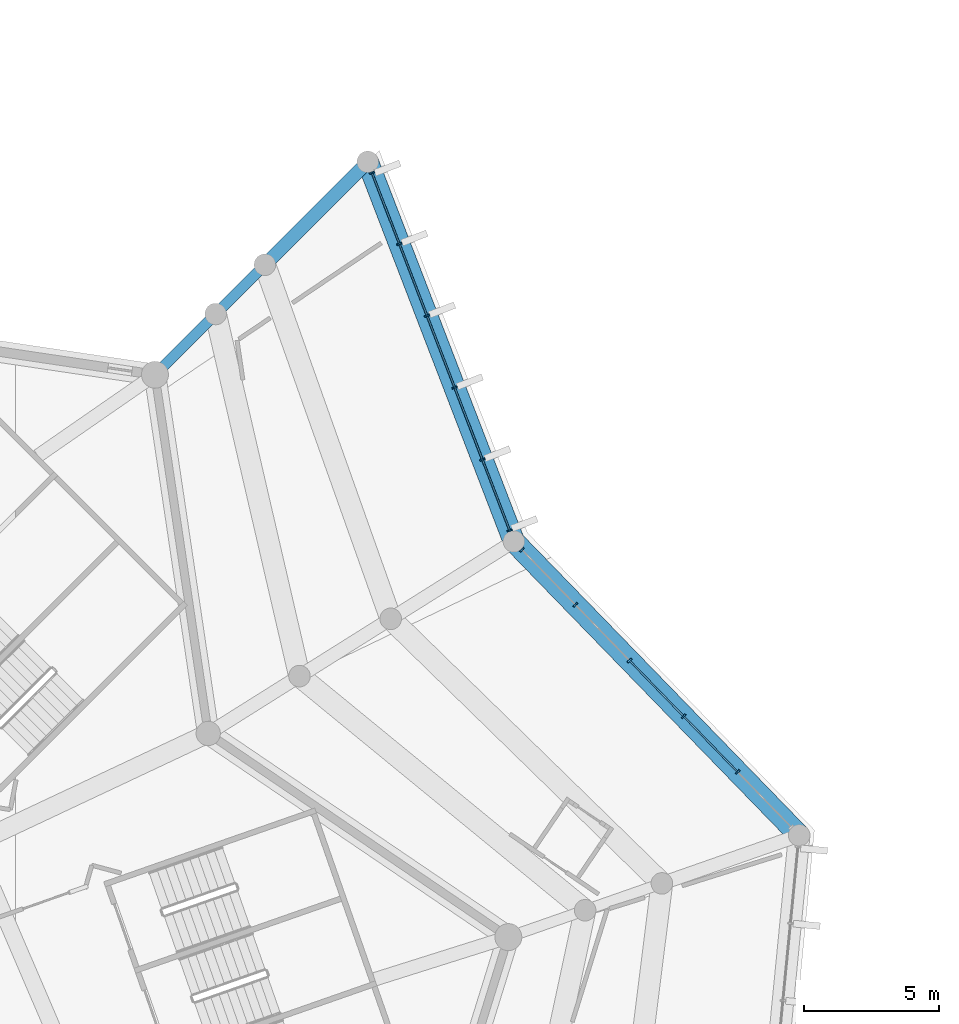
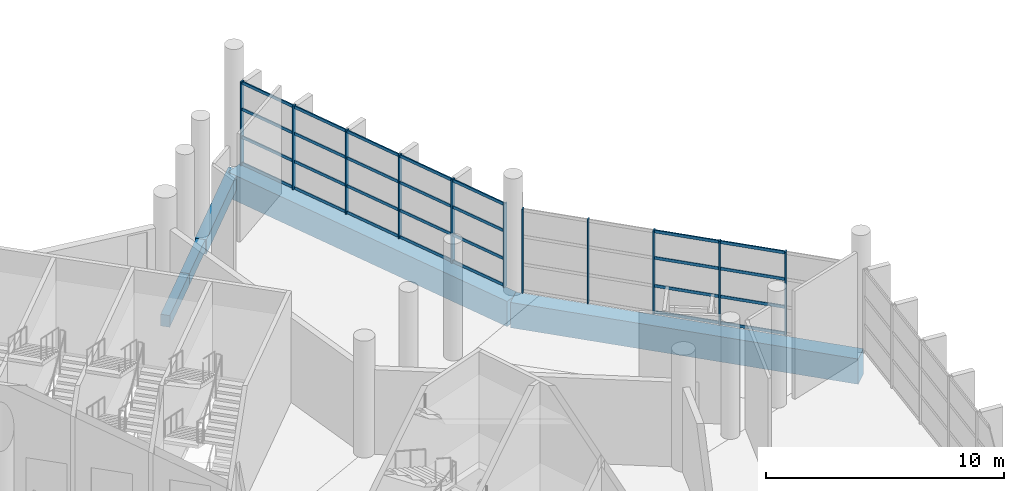
# One storey, part 95 of 249: 39 members, 5 beams, 2 elements without a shape of their own.
"""IFC4 building model written with IfcOpenShell, lengths in metres."""

import ifcopenshell
import ifcopenshell.guid

model = None  # the IFC model being written
_history = None  # IfcOwnerHistory: only IFC2X3 demands one
_inside = {}  # id of a spatial element -> (the spatial element, [elements in it])
_under = {}  # id of a project, library or spatial element -> (it, [spatial elements below it])
_declared = {}  # id of a project -> (the project, [libraries it declares])
_typed = {}  # id of a type object -> (the type object, [elements of that type])
_made_of = {}  # id of a material, layer set ... -> (it, [elements and type objects made of it])


def new_model(schema):
    """Start an empty IFC model of exactly this schema.

    Asked for "IFC4X3", IfcOpenShell would pick the latest addendum, in which some entities
    have other attributes; the version numbers below select the first issue.
    IFC2X3 requires an IfcOwnerHistory on every rooted entity: one is made here for all.
    """
    global model, _history
    if schema == "IFC4X3":
        model = ifcopenshell.file(schema_version=(4, 3, 0, 0))
    else:
        model = ifcopenshell.file(schema=schema)
    _inside.clear()
    _under.clear()
    _declared.clear()
    _typed.clear()
    _made_of.clear()
    _history = None
    if model.schema == "IFC2X3":
        org = make("IfcOrganization", Name="unknown")
        user = make(
            "IfcPersonAndOrganization",
            ThePerson=make("IfcPerson", FamilyName="unknown"),
            TheOrganization=org,
        )
        app = make(
            "IfcApplication",
            ApplicationDeveloper=org,
            Version="unknown",
            ApplicationFullName="unknown",
            ApplicationIdentifier="unknown",
        )
        _history = make(
            "IfcOwnerHistory",
            OwningUser=user,
            OwningApplication=app,
            ChangeAction="ADDED",
            CreationDate=0,
        )
    return model


def make(cls, **values):
    """One entity of the class cls with the attributes given. An attribute that is None is left unset."""
    return model.create_entity(
        cls, **{name: value for name, value in values.items() if value is not None}
    )


def rooted(cls, **values):
    """An entity with a GlobalId (a new one), such as an element, a storey or a relation."""
    return make(cls, GlobalId=ifcopenshell.guid.new(), OwnerHistory=_history, **values)


def si_unit(unit_type, name, prefix=None):
    """IfcSIUnit, for example si_unit("LENGTHUNIT", "METRE", prefix="MILLI")."""
    return make("IfcSIUnit", UnitType=unit_type, Prefix=prefix, Name=name)


def assignment(units):
    """IfcUnitAssignment: the units of a project."""
    return None if units is None else make("IfcUnitAssignment", Units=units)


def point(xyz):
    """IfcCartesianPoint."""
    return None if xyz is None else make("IfcCartesianPoint", Coordinates=xyz)


def direction(xyz):
    """IfcDirection."""
    return None if xyz is None else make("IfcDirection", DirectionRatios=xyz)


def frame(location, z_axis=None, x_axis=None):
    """IfcAxis2Placement3D, a coordinate frame: its origin and axes. An axis left out is left unset."""
    return make(
        "IfcAxis2Placement3D",
        Location=point(location),
        Axis=direction(z_axis),
        RefDirection=direction(x_axis),
    )


def frame_2d(location, x_axis=None):
    """IfcAxis2Placement2D, a coordinate frame in the plane: its origin and x axis."""
    return make(
        "IfcAxis2Placement2D", Location=point(location), RefDirection=direction(x_axis)
    )


def origin():
    """The frame at (0, 0, 0) with its axes left unset."""
    return frame((0.0, 0.0, 0.0))


def origin_2d():
    """The frame at (0, 0) in the plane with its x axis left unset."""
    return frame_2d((0.0, 0.0))


def place(relative_to, where):
    """IfcLocalPlacement: puts the frame where relative to a parent placement (None: the world)."""
    return make(
        "IfcLocalPlacement", PlacementRelTo=relative_to, RelativePlacement=where
    )


def context(
    kind, dimensions, precision=None, world=None, true_north=None, identifier=None
):
    """IfcGeometricRepresentationContext, for example the 3D "Model" context."""
    return make(
        "IfcGeometricRepresentationContext",
        ContextIdentifier=identifier,
        ContextType=kind,
        CoordinateSpaceDimension=dimensions,
        Precision=precision,
        WorldCoordinateSystem=world,
        TrueNorth=true_north,
    )


def subcontext(parent, identifier, kind, view, scale=None):
    """IfcGeometricRepresentationSubContext, for example "Body" below "Model"."""
    return make(
        "IfcGeometricRepresentationSubContext",
        ContextIdentifier=identifier,
        ContextType=kind,
        ParentContext=parent,
        TargetScale=scale,
        TargetView=view,
    )


def project(units=None, contexts=None):
    """IfcProject with its units and contexts."""
    return rooted(
        "IfcProject",
        Name="project",
        RepresentationContexts=contexts,
        UnitsInContext=assignment(units),
    )


def spatial(cls, under=None, at=None, **own):
    """A site, building, storey or space (cls), placed at a placement, below another one or the project."""
    s = rooted(cls, ObjectPlacement=at, **own)
    if under is not None:
        _under.setdefault(under.id(), (under, []))[1].append(s)
    return s


def profile(cls, at=None, kind="AREA", **sizes):
    """A parametric profile (cls). Its sizes go by their IFC names, for example OverallWidth=200.0."""
    return make(cls, ProfileType=kind, Position=at, **sizes)


def rectangle(**sizes):
    """IfcRectangleProfileDef."""
    return profile("IfcRectangleProfileDef", **sizes)


def extrude(swept, where, along, depth):
    """IfcExtrudedAreaSolid: the profile swept, set in the frame where, extruded along a direction by depth."""
    return make(
        "IfcExtrudedAreaSolid",
        SweptArea=swept,
        Position=where,
        ExtrudedDirection=direction(along),
        Depth=depth,
    )


def shape(context_of_items, identifier, shape_type, items):
    """IfcShapeRepresentation: the items that make up one representation, for example the "Body"."""
    return make(
        "IfcShapeRepresentation",
        ContextOfItems=context_of_items,
        RepresentationIdentifier=identifier,
        RepresentationType=shape_type,
        Items=items,
    )


def material(Name=None, Category=None):
    """IfcMaterial."""
    return make("IfcMaterial", Name=Name, Category=Category)


def layer(
    of_material, thickness, ventilated=None, Name=None, Category=None, Priority=None
):
    """IfcMaterialLayer: one layer of a wall or slab, of a material (None: an air gap)."""
    return make(
        "IfcMaterialLayer",
        Material=of_material,
        LayerThickness=thickness,
        IsVentilated=ventilated,
        Name=Name,
        Category=Category,
        Priority=Priority,
    )


def layer_set(layers, Name=None):
    """IfcMaterialLayerSet."""
    return make("IfcMaterialLayerSet", MaterialLayers=layers, LayerSetName=Name)


def material_profile(
    of_material, cross_section, Name=None, Category=None, Priority=None
):
    """IfcMaterialProfile: a cross section and its material."""
    return make(
        "IfcMaterialProfile",
        Name=Name,
        Material=of_material,
        Profile=cross_section,
        Priority=Priority,
        Category=Category,
    )


def profile_set(profiles, Name=None, composite=None):
    """IfcMaterialProfileSet."""
    return make(
        "IfcMaterialProfileSet",
        Name=Name,
        MaterialProfiles=profiles,
        CompositeProfile=composite,
    )


def made_of(thing, what):
    """Note that an element or type object is made of a material, layer set ...; save() writes the relation."""
    if what is not None:
        _made_of.setdefault(what.id(), (what, []))[1].append(thing)
    return thing


def type_object(cls, material=None, **own):
    """A type object (cls), such as IfcWallType, which elements share."""
    return made_of(rooted(cls, **own), material)


def element(
    cls,
    number,
    at=None,
    inside=None,
    cuts=None,
    type_object=None,
    material=None,
    context=None,
    identifier="Body",
    shape_type=None,
    held_by="IfcProductDefinitionShape",
    body=None,
    shapes=None,
    **own,
):
    """One element of the class cls, such as IfcWall. Its Tag is "e" and its number.

    at: its placement. inside: the storey or other place that contains it. cuts: it is an
    opening in that element (IfcRelVoidsElement). A single representation is given by context,
    identifier, shape_type and body (its items); several are given by shapes. held_by: the class
    of the entity that holds the representations. save() writes the other relations.
    """
    e = rooted(cls, Tag="e%d" % number, ObjectPlacement=at, **own)
    if body is not None:
        shapes = [shape(context, identifier, shape_type, body)]
    if shapes is not None:
        e.Representation = make(held_by, Representations=shapes)
    if inside is not None:
        _inside.setdefault(inside.id(), (inside, []))[1].append(e)
    if cuts is not None:
        rooted(
            "IfcRelVoidsElement", RelatingBuildingElement=cuts, RelatedOpeningElement=e
        )
    if type_object is not None:
        _typed.setdefault(type_object.id(), (type_object, []))[1].append(e)
    return made_of(e, material)


def aggregate(whole, parts):
    """IfcRelAggregates: a whole, such as a stair, and the parts it consists of."""
    return rooted("IfcRelAggregates", RelatingObject=whole, RelatedObjects=parts)


def save(model, path):
    """Write the relations noted so far, then the file.

    IfcRelAggregates (storeys below a building ...), IfcRelContainedInSpatialStructure (elements
    in a storey), IfcRelDefinesByType, IfcRelAssociatesMaterial and IfcRelDeclares: one each for
    every whole, place, type object, material and project.
    """
    for whole, parts in _under.values():
        aggregate(whole, parts)
    for where, things in _inside.values():
        rooted(
            "IfcRelContainedInSpatialStructure",
            RelatedElements=things,
            RelatingStructure=where,
        )
    for kind, things in _typed.values():
        rooted("IfcRelDefinesByType", RelatedObjects=things, RelatingType=kind)
    for what, things in _made_of.values():
        rooted("IfcRelAssociatesMaterial", RelatedObjects=things, RelatingMaterial=what)
    for by, libraries in _declared.values():
        rooted("IfcRelDeclares", RelatingContext=by, RelatedDefinitions=libraries)
    model.write(path)


model = new_model("IFC4")

# Units and contexts
model_context = context("Model", 3, precision=1e-05, world=origin(), true_north=direction((0.0, 1.0)))
body_context = subcontext(model_context, "Body", "Model", "MODEL_VIEW")
ifc_project = project(units=[si_unit("LENGTHUNIT", "METRE"), si_unit("AREAUNIT", "SQUARE_METRE"), si_unit("VOLUMEUNIT", "CUBIC_METRE"), si_unit("PLANEANGLEUNIT", "RADIAN"), si_unit("MASSUNIT", "GRAM", prefix="KILO")], contexts=[model_context])

# Site, building, storey
site_placement = place(None, origin())
site = spatial("IfcSite", under=ifc_project, at=site_placement, CompositionType="ELEMENT")
building_placement = place(site_placement, origin())
building = spatial("IfcBuilding", under=site, at=building_placement, Name="Meseta Stadium", CompositionType="ELEMENT")
storey_placement = place(building_placement, frame((0.0, 0.0, 12.0)))
storey = spatial("IfcBuildingStorey", under=building, at=storey_placement, Name="L02", CompositionType="ELEMENT", Elevation=12.0)

# Beams
ifc_material_1 = material(Name="Concrete C40/50", Category="concrete")
ifc_material_profile_1 = material_profile(ifc_material_1, rectangle(XDim=0.39990234375, YDim=0.60009765625, at=origin_2d()), Name="RC 400x600")
ifc_profile_set_1 = profile_set([ifc_material_profile_1], Name="Concrete C40/50")
beam_type_1 = type_object("IfcBeamType", Name="RC beam 400x600", PredefinedType="BEAM", material=ifc_profile_set_1)
beam_1_placement = place(storey_placement, frame((85.173583984375, 89.173583984375, -0.64990234375), z_axis=(0.707106781187, 0.707106781187, 0.0), x_axis=(-0.707106781187, 0.707106781187, 0.0)))
element("IfcBeam", 1, at=beam_1_placement, inside=storey, type_object=beam_type_1, Name="L02 radial beam frame 12 line R to M", PredefinedType="BEAM", context=body_context, shape_type="SweptSolid", body=[
    extrude(rectangle(XDim=0.39990234375, YDim=0.60009765625, at=origin_2d()), origin(), (0.0, 0.0, 1.0), 3.18603515625),
])
beam_2_placement = place(storey_placement, frame((87.426513671875, 91.426513671875, -0.64990234375), z_axis=(0.707106781187, 0.707106781187, 0.0), x_axis=(-0.707106781187, 0.707106781187, 0.0)))
element("IfcBeam", 2, at=beam_2_placement, inside=storey, type_object=beam_type_1, Name="L02 radial beam frame 12 line M to Q", PredefinedType="BEAM", context=body_context, shape_type="SweptSolid", body=[
    extrude(rectangle(XDim=0.39990234375, YDim=0.60009765625, at=origin_2d()), origin(), (0.0, 0.0, 1.0), 2.585693359375),
])
ifc_material_2 = material(Name="Concrete C40/50", Category="concrete")
ifc_material_profile_2 = material_profile(ifc_material_2, rectangle(XDim=0.5, YDim=0.75, at=origin_2d()), Name="RC 500x750")
ifc_profile_set_2 = profile_set([ifc_material_profile_2], Name="Concrete C40/50")
beam_type_2 = type_object("IfcBeamType", Name="RC beam 500x750", PredefinedType="BEAM", material=ifc_profile_set_2)
beam_3_placement = place(storey_placement, frame((89.2548828125, 93.2548828125, -0.72509765625), z_axis=(0.707106781187, 0.707106781187, 0.0), x_axis=(-0.707106781187, 0.707106781187, 0.0)))
element("IfcBeam", 3, at=beam_3_placement, inside=storey, type_object=beam_type_2, Name="L02 radial beam frame 12 line Q to O", PredefinedType="BEAM", context=body_context, shape_type="SweptSolid", body=[
    extrude(rectangle(XDim=0.5, YDim=0.75, at=origin_2d()), origin(), (0.0, 0.0, 1.0), 5.39990234375),
])
ifc_material_3 = material(Name="Concrete C40/50", Category="concrete")
ifc_material_profile_3 = material_profile(ifc_material_3, rectangle(XDim=0.800048828125, YDim=1.300048828125, at=origin_2d()), Name="RC 800x1300")
ifc_profile_set_3 = profile_set([ifc_material_profile_3], Name="Concrete C40/50")
beam_type_3 = type_object("IfcBeamType", Name="RC beam 800x1300", PredefinedType="BEAM", material=ifc_profile_set_3)
beam_4_placement = place(storey_placement, frame((109.0869140625, 72.0751953125, -1.0), z_axis=(-0.696479024719, 0.717577151341, 0.0), x_axis=(-0.717577151341, -0.696479024719, 0.0)))
element("IfcBeam", 4, at=beam_4_placement, inside=storey, type_object=beam_type_3, Name="L02 ring beam frame 10 line O", PredefinedType="BEAM", context=body_context, shape_type="SweptSolid", body=[
    extrude(rectangle(XDim=0.800048828125, YDim=1.300048828125, at=origin_2d()), origin(), (0.0, 0.0, 1.0), 15.205078125),
])
beam_5_placement = place(storey_placement, frame((98.496826171875, 82.986083984375, -1.0), z_axis=(-0.359293357588, 0.933224669195, 0.0), x_axis=(-0.933224669195, -0.359293357588, 0.0)))
element("IfcBeam", 5, at=beam_5_placement, inside=storey, type_object=beam_type_3, Name="L02 ring beam frame 11 line O", PredefinedType="BEAM", context=body_context, shape_type="SweptSolid", body=[
    extrude(rectangle(XDim=0.800048828125, YDim=1.300048828125, at=origin_2d()), origin(), (0.0, 0.0, 1.0), 15.09521484375),
])

# Curtain wall, members
ifc_material_4 = material(Name="Aluminium", Category="aluminium")
ifc_layer = layer(ifc_material_4, 0.199951171875)
ifc_layer_set = layer_set([ifc_layer], Name="Ring shopfront curtain wall")
curtain_wall_type = type_object("IfcCurtainWallType", Name="Ring shopfront curtain wall", PredefinedType="NOTDEFINED", material=ifc_layer_set)
curtain_wall_1_placement = place(storey_placement, origin())
curtain_wall_1 = element("IfcCurtainWall", 6, at=curtain_wall_1_placement, inside=storey, type_object=curtain_wall_type, Name="Ring glazing L02 F10", PredefinedType="NOTDEFINED")
ifc_material_5 = material(Name="Aluminium", Category="aluminium")
ifc_material_profile_4 = material_profile(ifc_material_5, rectangle(XDim=0.199951171875, YDim=0.06005859375, at=origin_2d()), Name="CW 200x60")
ifc_profile_set_4 = profile_set([ifc_material_profile_4], Name="Aluminium")
member_type_1 = type_object("IfcMemberType", Name="Ring CW mullion 60x200", PredefinedType="MULLION", material=ifc_profile_set_4)
member_1_placement = place(storey_placement, frame((106.8017578125, 74.429443359375, 0.0), z_axis=(0.0, 0.0, 1.0), x_axis=(-0.717583242683, -0.6964727488, 0.0)))
member_1 = element("IfcMember", 7, at=member_1_placement, type_object=member_type_1, Name="CWR1 mullion 2", PredefinedType="MULLION", context=body_context, shape_type="SweptSolid", body=[
    extrude(rectangle(XDim=0.199951171875, YDim=0.06005859375, at=origin_2d()), origin(), (0.0, 0.0, 1.0), 4.300048828125),
])
member_2_placement = place(storey_placement, frame((104.795166015625, 76.496826171875, 0.0), z_axis=(0.0, 0.0, 1.0), x_axis=(-0.717583242683, -0.6964727488, 0.0)))
member_2 = element("IfcMember", 8, at=member_2_placement, type_object=member_type_1, Name="CWR1 mullion 3", PredefinedType="MULLION", context=body_context, shape_type="SweptSolid", body=[
    extrude(rectangle(XDim=0.199951171875, YDim=0.06005859375, at=origin_2d()), origin(), (0.0, 0.0, 1.0), 4.300048828125),
])
member_3_placement = place(storey_placement, frame((102.78857421875, 78.564208984375, 0.0), z_axis=(0.0, 0.0, 1.0), x_axis=(-0.717583242683, -0.6964727488, 0.0)))
member_3 = element("IfcMember", 9, at=member_3_placement, type_object=member_type_1, Name="CWR1 mullion 4", PredefinedType="MULLION", context=body_context, shape_type="SweptSolid", body=[
    extrude(rectangle(XDim=0.199951171875, YDim=0.06005859375, at=origin_2d()), origin(), (0.0, 0.0, 1.0), 4.300048828125),
])
member_4_placement = place(storey_placement, frame((100.781982421875, 80.631591796875, 0.0), z_axis=(0.0, 0.0, 1.0), x_axis=(-0.717583242683, -0.6964727488, 0.0)))
member_4 = element("IfcMember", 10, at=member_4_placement, type_object=member_type_1, Name="CWR1 mullion 5", PredefinedType="MULLION", context=body_context, shape_type="SweptSolid", body=[
    extrude(rectangle(XDim=0.199951171875, YDim=0.06005859375, at=origin_2d()), origin(), (0.0, 0.0, 1.0), 4.300048828125),
])
member_5_placement = place(storey_placement, frame((98.79638671875, 82.677490234375, 0.0), z_axis=(0.0, 0.0, 1.0), x_axis=(-0.717583242683, -0.6964727488, 0.0)))
member_5 = element("IfcMember", 11, at=member_5_placement, type_object=member_type_1, Name="CWR1 mullion 6", PredefinedType="MULLION", context=body_context, shape_type="SweptSolid", body=[
    extrude(rectangle(XDim=0.199951171875, YDim=0.06005859375, at=origin_2d()), origin(), (0.0, 0.0, 1.0), 4.300048828125),
])

curtain_wall_2_placement = place(storey_placement, origin())
curtain_wall_2 = element("IfcCurtainWall", 12, at=curtain_wall_2_placement, inside=storey, type_object=curtain_wall_type, Name="Ring glazing L02 F11", PredefinedType="NOTDEFINED")
member_6_placement = place(storey_placement, frame((98.342529296875, 83.38720703125, 0.0), z_axis=(0.0, 0.0, 1.0), x_axis=(-0.933221328815, -0.359302033734, 0.0)))
member_6 = element("IfcMember", 13, at=member_6_placement, type_object=member_type_1, Name="CWR1 mullion 1", PredefinedType="MULLION", context=body_context, shape_type="SweptSolid", body=[
    extrude(rectangle(XDim=0.199951171875, YDim=0.06005859375, at=origin_2d()), origin(), (0.0, 0.0, 1.0), 4.300048828125),
])
member_7_placement = place(storey_placement, frame((97.325927734375, 86.02734375, 0.0), z_axis=(0.0, 0.0, 1.0), x_axis=(-0.933221328815, -0.359302033734, 0.0)))
member_7 = element("IfcMember", 14, at=member_7_placement, type_object=member_type_1, Name="CWR1 mullion 2", PredefinedType="MULLION", context=body_context, shape_type="SweptSolid", body=[
    extrude(rectangle(XDim=0.199951171875, YDim=0.06005859375, at=origin_2d()), origin(), (0.0, 0.0, 1.0), 4.300048828125),
])
member_8_placement = place(storey_placement, frame((96.298583984375, 88.695556640625, 0.0), z_axis=(0.0, 0.0, 1.0), x_axis=(-0.933221328815, -0.359302033734, 0.0)))
member_8 = element("IfcMember", 15, at=member_8_placement, type_object=member_type_1, Name="CWR1 mullion 3", PredefinedType="MULLION", context=body_context, shape_type="SweptSolid", body=[
    extrude(rectangle(XDim=0.199951171875, YDim=0.06005859375, at=origin_2d()), origin(), (0.0, 0.0, 1.0), 4.300048828125),
])
member_9_placement = place(storey_placement, frame((95.271484375, 91.36376953125, 0.0), z_axis=(0.0, 0.0, 1.0), x_axis=(-0.933221328815, -0.359302033734, 0.0)))
member_9 = element("IfcMember", 16, at=member_9_placement, type_object=member_type_1, Name="CWR1 mullion 4", PredefinedType="MULLION", context=body_context, shape_type="SweptSolid", body=[
    extrude(rectangle(XDim=0.199951171875, YDim=0.06005859375, at=origin_2d()), origin(), (0.0, 0.0, 1.0), 4.300048828125),
])
member_10_placement = place(storey_placement, frame((94.244140625, 94.03173828125, 0.0), z_axis=(0.0, 0.0, 1.0), x_axis=(-0.933221328815, -0.359302033734, 0.0)))
member_10 = element("IfcMember", 17, at=member_10_placement, type_object=member_type_1, Name="CWR1 mullion 5", PredefinedType="MULLION", context=body_context, shape_type="SweptSolid", body=[
    extrude(rectangle(XDim=0.199951171875, YDim=0.06005859375, at=origin_2d()), origin(), (0.0, 0.0, 1.0), 4.300048828125),
])
member_11_placement = place(storey_placement, frame((93.227783203125, 96.671875, 0.0), z_axis=(0.0, 0.0, 1.0), x_axis=(-0.933221328815, -0.359302033734, 0.0)))
member_11 = element("IfcMember", 18, at=member_11_placement, type_object=member_type_1, Name="CWR1 mullion 6", PredefinedType="MULLION", context=body_context, shape_type="SweptSolid", body=[
    extrude(rectangle(XDim=0.199951171875, YDim=0.06005859375, at=origin_2d()), origin(), (0.0, 0.0, 1.0), 4.300048828125),
])

# Member
ifc_material_6 = material(Name="Aluminium", Category="aluminium")
ifc_material_profile_5 = material_profile(ifc_material_6, rectangle(XDim=0.06005859375, YDim=0.14990234375, at=origin_2d()), Name="CW 60x150")
ifc_profile_set_5 = profile_set([ifc_material_profile_5], Name="Aluminium")
member_type_2 = type_object("IfcMemberType", Name="Ring CW transom 60x150", PredefinedType="USERDEFINED", material=ifc_profile_set_5)
member_12_placement = place(storey_placement, frame((106.78076171875, 74.450927734375, 0.074951171875), z_axis=(-0.696425568893, 0.717629031597, 0.0), x_axis=(-0.717629031597, -0.696425568893, 0.0)))
member_12 = element("IfcMember", 19, at=member_12_placement, type_object=member_type_2, Name="CWR1 transom 2.1", ObjectType="TRANSOM", PredefinedType="USERDEFINED", context=body_context, shape_type="SweptSolid", body=[
    extrude(rectangle(XDim=0.06005859375, YDim=0.14990234375, at=origin_2d()), origin(), (0.0, 0.0, 1.0), 2.821044921875),
])

member_13_placement = place(storey_placement, frame((106.78076171875, 74.450927734375, 1.433349609375), z_axis=(-0.696425568893, 0.717629031597, 0.0), x_axis=(-0.717629031597, -0.696425568893, 0.0)))
member_13 = element("IfcMember", 20, at=member_13_placement, type_object=member_type_2, Name="CWR1 transom 2.2", ObjectType="TRANSOM", PredefinedType="USERDEFINED", context=body_context, shape_type="SweptSolid", body=[
    extrude(rectangle(XDim=0.06005859375, YDim=0.14990234375, at=origin_2d()), origin(), (0.0, 0.0, 1.0), 2.821044921875),
])

member_14_placement = place(storey_placement, frame((106.78076171875, 74.450927734375, 2.86669921875), z_axis=(-0.696425568893, 0.717629031597, 0.0), x_axis=(-0.717629031597, -0.696425568893, 0.0)))
member_14 = element("IfcMember", 21, at=member_14_placement, type_object=member_type_2, Name="CWR1 transom 2.3", ObjectType="TRANSOM", PredefinedType="USERDEFINED", context=body_context, shape_type="SweptSolid", body=[
    extrude(rectangle(XDim=0.06005859375, YDim=0.14990234375, at=origin_2d()), origin(), (0.0, 0.0, 1.0), 2.821044921875),
])

member_15_placement = place(storey_placement, frame((106.78076171875, 74.450927734375, 4.22509765625), z_axis=(-0.696425568893, 0.717629031597, 0.0), x_axis=(-0.717629031597, -0.696425568893, 0.0)))
member_15 = element("IfcMember", 22, at=member_15_placement, type_object=member_type_2, Name="CWR1 transom 2.4", ObjectType="TRANSOM", PredefinedType="USERDEFINED", context=body_context, shape_type="SweptSolid", body=[
    extrude(rectangle(XDim=0.06005859375, YDim=0.14990234375, at=origin_2d()), origin(), (0.0, 0.0, 1.0), 2.821044921875),
])

member_16_placement = place(storey_placement, frame((104.774169921875, 76.518310546875, 0.074951171875), z_axis=(-0.696425568893, 0.717629031597, 0.0), x_axis=(-0.717629031597, -0.696425568893, 0.0)))
member_16 = element("IfcMember", 23, at=member_16_placement, type_object=member_type_2, Name="CWR1 transom 3.1", ObjectType="TRANSOM", PredefinedType="USERDEFINED", context=body_context, shape_type="SweptSolid", body=[
    extrude(rectangle(XDim=0.06005859375, YDim=0.14990234375, at=origin_2d()), origin(), (0.0, 0.0, 1.0), 2.821044921875),
])

member_17_placement = place(storey_placement, frame((104.774169921875, 76.518310546875, 1.433349609375), z_axis=(-0.696425568893, 0.717629031597, 0.0), x_axis=(-0.717629031597, -0.696425568893, 0.0)))
member_17 = element("IfcMember", 24, at=member_17_placement, type_object=member_type_2, Name="CWR1 transom 3.2", ObjectType="TRANSOM", PredefinedType="USERDEFINED", context=body_context, shape_type="SweptSolid", body=[
    extrude(rectangle(XDim=0.06005859375, YDim=0.14990234375, at=origin_2d()), origin(), (0.0, 0.0, 1.0), 2.821044921875),
])

member_18_placement = place(storey_placement, frame((104.774169921875, 76.518310546875, 2.86669921875), z_axis=(-0.696425568893, 0.717629031597, 0.0), x_axis=(-0.717629031597, -0.696425568893, 0.0)))
member_18 = element("IfcMember", 25, at=member_18_placement, type_object=member_type_2, Name="CWR1 transom 3.3", ObjectType="TRANSOM", PredefinedType="USERDEFINED", context=body_context, shape_type="SweptSolid", body=[
    extrude(rectangle(XDim=0.06005859375, YDim=0.14990234375, at=origin_2d()), origin(), (0.0, 0.0, 1.0), 2.821044921875),
])

member_19_placement = place(storey_placement, frame((104.774169921875, 76.518310546875, 4.22509765625), z_axis=(-0.696425568893, 0.717629031597, 0.0), x_axis=(-0.717629031597, -0.696425568893, 0.0)))
member_19 = element("IfcMember", 26, at=member_19_placement, type_object=member_type_2, Name="CWR1 transom 3.4", ObjectType="TRANSOM", PredefinedType="USERDEFINED", context=body_context, shape_type="SweptSolid", body=[
    extrude(rectangle(XDim=0.06005859375, YDim=0.14990234375, at=origin_2d()), origin(), (0.0, 0.0, 1.0), 2.821044921875),
])

aggregate(curtain_wall_1, [member_1, member_2, member_3, member_4, member_5, member_12, member_13, member_14, member_15, member_16, member_17, member_18, member_19])

member_20_placement = place(storey_placement, frame((98.33154296875, 83.415283203125, 0.074951171875), z_axis=(-0.359274461241, 0.933231944106, 0.0), x_axis=(-0.933231944106, -0.359274461241, 0.0)))
member_20 = element("IfcMember", 27, at=member_20_placement, type_object=member_type_2, Name="CWR1 transom 1.1", ObjectType="TRANSOM", PredefinedType="USERDEFINED", context=body_context, shape_type="SweptSolid", body=[
    extrude(rectangle(XDim=0.06005859375, YDim=0.14990234375, at=origin_2d()), origin(), (0.0, 0.0, 1.0), 2.76904296875),
])

member_21_placement = place(storey_placement, frame((98.33154296875, 83.415283203125, 1.433349609375), z_axis=(-0.359274461241, 0.933231944106, 0.0), x_axis=(-0.933231944106, -0.359274461241, 0.0)))
member_21 = element("IfcMember", 28, at=member_21_placement, type_object=member_type_2, Name="CWR1 transom 1.2", ObjectType="TRANSOM", PredefinedType="USERDEFINED", context=body_context, shape_type="SweptSolid", body=[
    extrude(rectangle(XDim=0.06005859375, YDim=0.14990234375, at=origin_2d()), origin(), (0.0, 0.0, 1.0), 2.76904296875),
])

member_22_placement = place(storey_placement, frame((98.33154296875, 83.415283203125, 2.86669921875), z_axis=(-0.359274461241, 0.933231944106, 0.0), x_axis=(-0.933231944106, -0.359274461241, 0.0)))
member_22 = element("IfcMember", 29, at=member_22_placement, type_object=member_type_2, Name="CWR1 transom 1.3", ObjectType="TRANSOM", PredefinedType="USERDEFINED", context=body_context, shape_type="SweptSolid", body=[
    extrude(rectangle(XDim=0.06005859375, YDim=0.14990234375, at=origin_2d()), origin(), (0.0, 0.0, 1.0), 2.76904296875),
])

member_23_placement = place(storey_placement, frame((98.33154296875, 83.415283203125, 4.22509765625), z_axis=(-0.359274461241, 0.933231944106, 0.0), x_axis=(-0.933231944106, -0.359274461241, 0.0)))
member_23 = element("IfcMember", 30, at=member_23_placement, type_object=member_type_2, Name="CWR1 transom 1.4", ObjectType="TRANSOM", PredefinedType="USERDEFINED", context=body_context, shape_type="SweptSolid", body=[
    extrude(rectangle(XDim=0.06005859375, YDim=0.14990234375, at=origin_2d()), origin(), (0.0, 0.0, 1.0), 2.76904296875),
])

member_24_placement = place(storey_placement, frame((97.315185546875, 86.055419921875, 0.074951171875), z_axis=(-0.359283001664, 0.93322865618, 0.0), x_axis=(-0.93322865618, -0.359283001664, 0.0)))
member_24 = element("IfcMember", 31, at=member_24_placement, type_object=member_type_2, Name="CWR1 transom 2.1", ObjectType="TRANSOM", PredefinedType="USERDEFINED", context=body_context, shape_type="SweptSolid", body=[
    extrude(rectangle(XDim=0.06005859375, YDim=0.14990234375, at=origin_2d()), origin(), (0.0, 0.0, 1.0), 2.799072265625),
])

member_25_placement = place(storey_placement, frame((97.315185546875, 86.055419921875, 1.433349609375), z_axis=(-0.359283001664, 0.93322865618, 0.0), x_axis=(-0.93322865618, -0.359283001664, 0.0)))
member_25 = element("IfcMember", 32, at=member_25_placement, type_object=member_type_2, Name="CWR1 transom 2.2", ObjectType="TRANSOM", PredefinedType="USERDEFINED", context=body_context, shape_type="SweptSolid", body=[
    extrude(rectangle(XDim=0.06005859375, YDim=0.14990234375, at=origin_2d()), origin(), (0.0, 0.0, 1.0), 2.799072265625),
])

member_26_placement = place(storey_placement, frame((97.315185546875, 86.055419921875, 2.86669921875), z_axis=(-0.359283001664, 0.93322865618, 0.0), x_axis=(-0.93322865618, -0.359283001664, 0.0)))
member_26 = element("IfcMember", 33, at=member_26_placement, type_object=member_type_2, Name="CWR1 transom 2.3", ObjectType="TRANSOM", PredefinedType="USERDEFINED", context=body_context, shape_type="SweptSolid", body=[
    extrude(rectangle(XDim=0.06005859375, YDim=0.14990234375, at=origin_2d()), origin(), (0.0, 0.0, 1.0), 2.799072265625),
])

member_27_placement = place(storey_placement, frame((97.315185546875, 86.055419921875, 4.22509765625), z_axis=(-0.359283001664, 0.93322865618, 0.0), x_axis=(-0.93322865618, -0.359283001664, 0.0)))
member_27 = element("IfcMember", 34, at=member_27_placement, type_object=member_type_2, Name="CWR1 transom 2.4", ObjectType="TRANSOM", PredefinedType="USERDEFINED", context=body_context, shape_type="SweptSolid", body=[
    extrude(rectangle(XDim=0.06005859375, YDim=0.14990234375, at=origin_2d()), origin(), (0.0, 0.0, 1.0), 2.799072265625),
])

member_28_placement = place(storey_placement, frame((96.287841796875, 88.7236328125, 0.074951171875), z_axis=(-0.359283001664, 0.93322865618, 0.0), x_axis=(-0.93322865618, -0.359283001664, 0.0)))
member_28 = element("IfcMember", 35, at=member_28_placement, type_object=member_type_2, Name="CWR1 transom 3.1", ObjectType="TRANSOM", PredefinedType="USERDEFINED", context=body_context, shape_type="SweptSolid", body=[
    extrude(rectangle(XDim=0.06005859375, YDim=0.14990234375, at=origin_2d()), origin(), (0.0, 0.0, 1.0), 2.799072265625),
])

member_29_placement = place(storey_placement, frame((96.287841796875, 88.7236328125, 1.433349609375), z_axis=(-0.359283001664, 0.93322865618, 0.0), x_axis=(-0.93322865618, -0.359283001664, 0.0)))
member_29 = element("IfcMember", 36, at=member_29_placement, type_object=member_type_2, Name="CWR1 transom 3.2", ObjectType="TRANSOM", PredefinedType="USERDEFINED", context=body_context, shape_type="SweptSolid", body=[
    extrude(rectangle(XDim=0.06005859375, YDim=0.14990234375, at=origin_2d()), origin(), (0.0, 0.0, 1.0), 2.799072265625),
])

member_30_placement = place(storey_placement, frame((96.287841796875, 88.7236328125, 2.86669921875), z_axis=(-0.359283001664, 0.93322865618, 0.0), x_axis=(-0.93322865618, -0.359283001664, 0.0)))
member_30 = element("IfcMember", 37, at=member_30_placement, type_object=member_type_2, Name="CWR1 transom 3.3", ObjectType="TRANSOM", PredefinedType="USERDEFINED", context=body_context, shape_type="SweptSolid", body=[
    extrude(rectangle(XDim=0.06005859375, YDim=0.14990234375, at=origin_2d()), origin(), (0.0, 0.0, 1.0), 2.799072265625),
])

member_31_placement = place(storey_placement, frame((96.287841796875, 88.7236328125, 4.22509765625), z_axis=(-0.359283001664, 0.93322865618, 0.0), x_axis=(-0.93322865618, -0.359283001664, 0.0)))
member_31 = element("IfcMember", 38, at=member_31_placement, type_object=member_type_2, Name="CWR1 transom 3.4", ObjectType="TRANSOM", PredefinedType="USERDEFINED", context=body_context, shape_type="SweptSolid", body=[
    extrude(rectangle(XDim=0.06005859375, YDim=0.14990234375, at=origin_2d()), origin(), (0.0, 0.0, 1.0), 2.799072265625),
])

member_32_placement = place(storey_placement, frame((95.2607421875, 91.3916015625, 0.074951171875), z_axis=(-0.359358964399, 0.933199407793, 0.0), x_axis=(-0.933199407793, -0.359358964399, 0.0)))
member_32 = element("IfcMember", 39, at=member_32_placement, type_object=member_type_2, Name="CWR1 transom 4.1", ObjectType="TRANSOM", PredefinedType="USERDEFINED", context=body_context, shape_type="SweptSolid", body=[
    extrude(rectangle(XDim=0.06005859375, YDim=0.14990234375, at=origin_2d()), origin(), (0.0, 0.0, 1.0), 2.799072265625),
])

member_33_placement = place(storey_placement, frame((95.2607421875, 91.3916015625, 1.433349609375), z_axis=(-0.359358964399, 0.933199407793, 0.0), x_axis=(-0.933199407793, -0.359358964399, 0.0)))
member_33 = element("IfcMember", 40, at=member_33_placement, type_object=member_type_2, Name="CWR1 transom 4.2", ObjectType="TRANSOM", PredefinedType="USERDEFINED", context=body_context, shape_type="SweptSolid", body=[
    extrude(rectangle(XDim=0.06005859375, YDim=0.14990234375, at=origin_2d()), origin(), (0.0, 0.0, 1.0), 2.799072265625),
])

member_34_placement = place(storey_placement, frame((95.2607421875, 91.3916015625, 2.86669921875), z_axis=(-0.359358964399, 0.933199407793, 0.0), x_axis=(-0.933199407793, -0.359358964399, 0.0)))
member_34 = element("IfcMember", 41, at=member_34_placement, type_object=member_type_2, Name="CWR1 transom 4.3", ObjectType="TRANSOM", PredefinedType="USERDEFINED", context=body_context, shape_type="SweptSolid", body=[
    extrude(rectangle(XDim=0.06005859375, YDim=0.14990234375, at=origin_2d()), origin(), (0.0, 0.0, 1.0), 2.799072265625),
])

member_35_placement = place(storey_placement, frame((95.2607421875, 91.3916015625, 4.22509765625), z_axis=(-0.359358964399, 0.933199407793, 0.0), x_axis=(-0.933199407793, -0.359358964399, 0.0)))
member_35 = element("IfcMember", 42, at=member_35_placement, type_object=member_type_2, Name="CWR1 transom 4.4", ObjectType="TRANSOM", PredefinedType="USERDEFINED", context=body_context, shape_type="SweptSolid", body=[
    extrude(rectangle(XDim=0.06005859375, YDim=0.14990234375, at=origin_2d()), origin(), (0.0, 0.0, 1.0), 2.799072265625),
])

member_36_placement = place(storey_placement, frame((94.2333984375, 94.059814453125, 0.074951171875), z_axis=(-0.35930402419, 0.933220562461, 0.0), x_axis=(-0.933220562461, -0.35930402419, 0.0)))
member_36 = element("IfcMember", 43, at=member_36_placement, type_object=member_type_2, Name="CWR1 transom 5.1", ObjectType="TRANSOM", PredefinedType="USERDEFINED", context=body_context, shape_type="SweptSolid", body=[
    extrude(rectangle(XDim=0.06005859375, YDim=0.14990234375, at=origin_2d()), origin(), (0.0, 0.0, 1.0), 2.768798828125),
])

member_37_placement = place(storey_placement, frame((94.2333984375, 94.059814453125, 1.433349609375), z_axis=(-0.35930402419, 0.933220562461, 0.0), x_axis=(-0.933220562461, -0.35930402419, 0.0)))
member_37 = element("IfcMember", 44, at=member_37_placement, type_object=member_type_2, Name="CWR1 transom 5.2", ObjectType="TRANSOM", PredefinedType="USERDEFINED", context=body_context, shape_type="SweptSolid", body=[
    extrude(rectangle(XDim=0.06005859375, YDim=0.14990234375, at=origin_2d()), origin(), (0.0, 0.0, 1.0), 2.768798828125),
])

member_38_placement = place(storey_placement, frame((94.2333984375, 94.059814453125, 2.86669921875), z_axis=(-0.35930402419, 0.933220562461, 0.0), x_axis=(-0.933220562461, -0.35930402419, 0.0)))
member_38 = element("IfcMember", 45, at=member_38_placement, type_object=member_type_2, Name="CWR1 transom 5.3", ObjectType="TRANSOM", PredefinedType="USERDEFINED", context=body_context, shape_type="SweptSolid", body=[
    extrude(rectangle(XDim=0.06005859375, YDim=0.14990234375, at=origin_2d()), origin(), (0.0, 0.0, 1.0), 2.768798828125),
])

member_39_placement = place(storey_placement, frame((94.2333984375, 94.059814453125, 4.22509765625), z_axis=(-0.35930402419, 0.933220562461, 0.0), x_axis=(-0.933220562461, -0.35930402419, 0.0)))
member_39 = element("IfcMember", 46, at=member_39_placement, type_object=member_type_2, Name="CWR1 transom 5.4", ObjectType="TRANSOM", PredefinedType="USERDEFINED", context=body_context, shape_type="SweptSolid", body=[
    extrude(rectangle(XDim=0.06005859375, YDim=0.14990234375, at=origin_2d()), origin(), (0.0, 0.0, 1.0), 2.768798828125),
])

aggregate(curtain_wall_2, [member_6, member_7, member_8, member_9, member_10, member_11, member_20, member_21, member_22, member_23, member_24, member_25, member_26, member_27, member_28, member_29, member_30, member_31, member_32, member_33, member_34, member_35, member_36, member_37, member_38, member_39])

save(model, "model.ifc")
